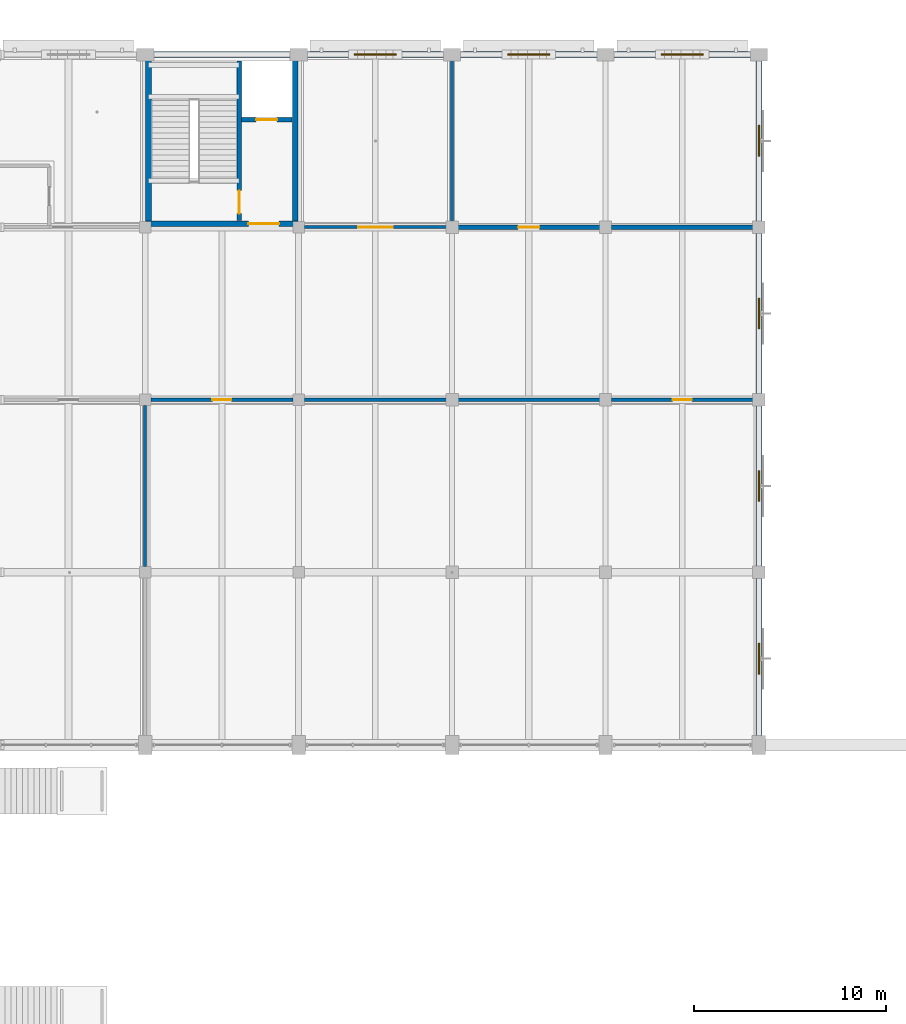
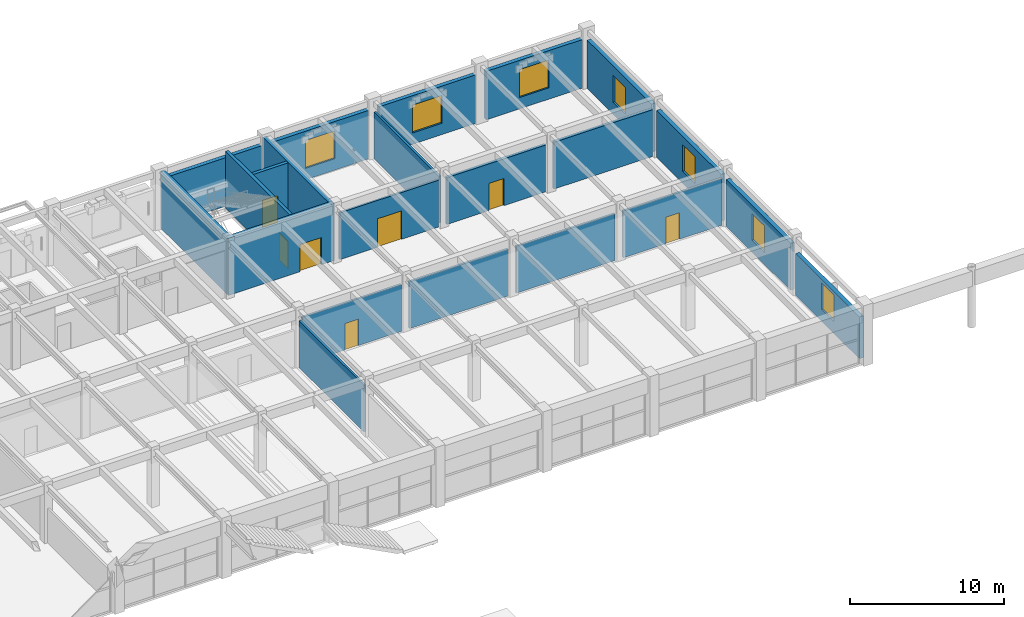
# One storey, part 113 of 144: 22 walls, 7 doors, 7 windows, 14 openings.
"""IFC4 building model written with IfcOpenShell, lengths in metres."""

from ifc_helpers import new_model, si_unit, direction, frame, frame_2d, origin, place, context, subcontext, project, spatial, rectangle, extrude, material, layer, layer_set, type_object, element, fill, save


model = new_model("IFC4")

# Units and contexts
model_context = context("Model", 3, precision=1e-05, world=origin(), true_north=direction((0.0, 1.0)))
body_context = subcontext(model_context, "Body", "Model", "MODEL_VIEW")
ifc_project = project(units=[si_unit("LENGTHUNIT", "METRE"), si_unit("AREAUNIT", "SQUARE_METRE"), si_unit("VOLUMEUNIT", "CUBIC_METRE"), si_unit("PLANEANGLEUNIT", "RADIAN"), si_unit("MASSUNIT", "GRAM", prefix="KILO")], contexts=[model_context])

# Site, building, storey
site_placement = place(None, origin())
site = spatial("IfcSite", under=ifc_project, at=site_placement, CompositionType="ELEMENT")
building_placement = place(site_placement, origin())
building = spatial("IfcBuilding", under=site, at=building_placement, Name="Varnabhumi Central Station", CompositionType="ELEMENT")
storey_placement = place(building_placement, frame((0.0, 0.0, 4.800048828125)))
storey = spatial("IfcBuildingStorey", under=building, at=storey_placement, Name="L01", CompositionType="ELEMENT", Elevation=4.800048828125)

# Wall, opening, door
ifc_material_1 = material(Name="Autoclaved aerated blockwork masonry", Category="masonry")
ifc_layer_1 = layer(ifc_material_1, 0.219970703125, Name="Autoclaved aerated blockwork masonry", Category="masonry")
ifc_layer_set_1 = layer_set([ifc_layer_1], Name="Autoclaved aerated blockwork masonry")
wall_type_1 = type_object("IfcWallType", Name="WAL-COMP-AAC-220", PredefinedType="SOLIDWALL", material=ifc_layer_set_1)
wall_1_placement = place(storey_placement, frame((144.300048828125, 107.0, 0.0), z_axis=(0.0, 0.0, 1.0), x_axis=(1.0, 0.0, 0.0)))
wall_1 = element("IfcWall", 1, at=wall_1_placement, inside=storey, type_object=wall_type_1, Name="Housekeeping and Linen Store L01 Corridor Partition 1", PredefinedType="SOLIDWALL", context=body_context, shape_type="SweptSolid", body=[
    extrude(rectangle(XDim=7.39990234375, YDim=0.219970703125, at=frame_2d((3.699951171875, 0.0))), origin(), (0.0, 0.0, 1.0), 3.699951171875),
])
opening_1_placement = place(wall_1_placement, frame((3.14990234375, 0.0, 0.0)))
opening_1 = element("IfcOpeningElement", 2, at=opening_1_placement, cuts=wall_1, Name="Opening FD-60", PredefinedType="OPENING", context=body_context, shape_type="SweptSolid", body=[
    extrude(rectangle(XDim=1.10009765625, YDim=2.14990234375, at=frame_2d((0.550048828125, 1.074951171875))), frame((0.0, 0.119873046875, 0.0), z_axis=(0.0, -1.0, 0.0), x_axis=(1.0, 0.0, 0.0)), (0.0, 0.0, 1.0), 0.239990234375),
])
ifc_material_2 = material(Name="Intumescent-treated hardwood timber", Category="wood")
door_type_1 = type_object("IfcDoorType", Name="DR-FIRE-60-1100", OperationType="NOTDEFINED", PredefinedType="DOOR", material=ifc_material_2)
door_1_placement = place(opening_1_placement, frame((1.10009765625, 0.0, 0.0), z_axis=(0.0, 0.0, 1.0), x_axis=(-1.0, 0.0, 0.0)))
door_1 = element("IfcDoor", 3, at=door_1_placement, inside=storey, type_object=door_type_1, Name="Housekeeping and Linen Store L01 Door 1", OperationType="SINGLE_SWING_LEFT", OverallHeight=2.14990234375, OverallWidth=1.10009765625, PredefinedType="DOOR", context=body_context, shape_type="SweptSolid", body=[
    extrude(rectangle(XDim=1.10009765625, YDim=2.14990234375, at=frame_2d((0.550048828125, 1.074951171875))), frame((0.0, 0.02490234375, 0.0), z_axis=(0.0, -1.0, 0.0), x_axis=(1.0, 0.0, 0.0)), (0.0, 0.0, 1.0), 0.050048828125),
])
fill(opening_1, door_1)

# Walls
wall_2_placement = place(storey_placement, frame((152.300048828125, 107.0, 0.0), z_axis=(0.0, 0.0, 1.0), x_axis=(1.0, 0.0, 0.0)))
element("IfcWall", 4, at=wall_2_placement, inside=storey, type_object=wall_type_1, Name="Housekeeping and Linen Store L01 Corridor Partition 2", PredefinedType="SOLIDWALL", context=body_context, shape_type="SweptSolid", body=[
    extrude(rectangle(XDim=7.39990234375, YDim=0.219970703125, at=frame_2d((3.699951171875, 0.0))), origin(), (0.0, 0.0, 1.0), 3.699951171875),
])
ifc_material_3 = material(Name="Concrete M40", Category="concrete")
ifc_layer_2 = layer(ifc_material_3, 0.300048828125, Name="Concrete M40", Category="concrete")
ifc_layer_set_2 = layer_set([ifc_layer_2], Name="Concrete M40")
wall_type_2 = type_object("IfcWallType", Name="WAL-CORE-RC-300", PredefinedType="SHEAR", material=ifc_layer_set_2)
for number, where, z_axis, x_axis, name in (
    (5, (128.179931640625, 107.179931640625, 0.0), (0.0, 0.0, 1.0), (0.0, 1.0, 0.0), "NC3 L01 West Shear Wall"),
    (6, (135.820068359375, 107.179931640625, 0.0), (0.0, 0.0, 1.0), (0.0, 1.0, 0.0), "NC3 L01 East Shear Wall"),
):
    element("IfcWall", number, at=place(storey_placement, frame(where, z_axis=z_axis, x_axis=x_axis)), inside=storey, type_object=wall_type_2, Name=name, PredefinedType="SHEAR", context=body_context, shape_type="SweptSolid", body=[
        extrude(rectangle(XDim=8.64013671875, YDim=0.300048828125, at=frame_2d((4.320068359375, 0.0))), origin(), (0.0, 0.0, 1.0), 4.52001953125),
    ])

# Wall, opening, door
wall_3_placement = place(storey_placement, frame((128.030029296875, 107.179931640625, 0.0), z_axis=(0.0, 0.0, 1.0), x_axis=(1.0, 0.0, 0.0)))
wall_3 = element("IfcWall", 7, at=wall_3_placement, inside=storey, type_object=wall_type_2, Name="NC3 L01 Corridor Shear Wall", PredefinedType="SHEAR", context=body_context, shape_type="SweptSolid", body=[
    extrude(rectangle(XDim=7.93994140625, YDim=0.300048828125, at=frame_2d((3.969970703125, 0.0))), origin(), (0.0, 0.0, 1.0), 4.52001953125),
])
opening_2_placement = place(wall_3_placement, frame((5.35009765625, 0.0, 0.0)))
opening_2 = element("IfcOpeningElement", 8, at=opening_2_placement, cuts=wall_3, Name="Opening FD-60D", PredefinedType="OPENING", context=body_context, shape_type="SweptSolid", body=[
    extrude(rectangle(XDim=1.60009765625, YDim=2.14990234375, at=frame_2d((0.800048828125, 1.074951171875))), frame((0.0, 0.159912109375, 0.0), z_axis=(0.0, -1.0, 0.0), x_axis=(1.0, 0.0, 0.0)), (0.0, 0.0, 1.0), 0.320068359375),
])
door_type_2 = type_object("IfcDoorType", Name="DR-FIRE-60-1600", OperationType="NOTDEFINED", PredefinedType="DOOR", material=ifc_material_2)
door_2_placement = place(opening_2_placement, frame((1.60009765625, 0.0, 0.0), z_axis=(0.0, 0.0, 1.0), x_axis=(-1.0, 0.0, 0.0)))
door_2 = element("IfcDoor", 9, at=door_2_placement, inside=storey, type_object=door_type_2, Name="NC3 L01 Lobby Fire Door", OperationType="DOUBLE_DOOR_SINGLE_SWING", OverallHeight=2.14990234375, OverallWidth=1.60009765625, PredefinedType="DOOR", context=body_context, shape_type="SweptSolid", body=[
    extrude(rectangle(XDim=1.60009765625, YDim=2.14990234375, at=frame_2d((0.800048828125, 1.074951171875))), frame((0.0, 0.02490234375, 0.0), z_axis=(0.0, -1.0, 0.0), x_axis=(1.0, 0.0, 0.0)), (0.0, 0.0, 1.0), 0.050048828125),
])
fill(opening_2, door_2)

# Wall
ifc_layer_3 = layer(ifc_material_1, 0.300048828125, Name="Autoclaved aerated blockwork masonry", Category="masonry")
ifc_layer_set_3 = layer_set([ifc_layer_3], Name="Autoclaved aerated blockwork masonry")
wall_type_3 = type_object("IfcWallType", Name="WAL-EXT-STUCCO-300", PredefinedType="SOLIDWALL", material=ifc_layer_set_3)
wall_4_placement = place(storey_placement, frame((128.39990234375, 116.0, 0.0), z_axis=(0.0, 0.0, 1.0), x_axis=(1.0, 0.0, 0.0)))
element("IfcWall", 10, at=wall_4_placement, inside=storey, type_object=wall_type_3, Name="North Boulevard Wall L01-17", PredefinedType="SOLIDWALL", context=body_context, shape_type="SweptSolid", body=[
    extrude(rectangle(XDim=7.2001953125, YDim=0.300048828125, at=frame_2d((3.60009765625, 0.0))), origin(), (0.0, 0.0, 1.0), 3.83984375),
])

# Wall, opening, window
wall_5_placement = place(storey_placement, frame((136.39990234375, 116.0, 0.0), z_axis=(0.0, 0.0, 1.0), x_axis=(1.0, 0.0, 0.0)))
wall_5 = element("IfcWall", 11, at=wall_5_placement, inside=storey, type_object=wall_type_3, Name="North Boulevard Wall L01-18", PredefinedType="SOLIDWALL", context=body_context, shape_type="SweptSolid", body=[
    extrude(rectangle(XDim=7.2001953125, YDim=0.300048828125, at=frame_2d((3.60009765625, 0.0))), origin(), (0.0, 0.0, 1.0), 3.83984375),
])
opening_3_placement = place(wall_5_placement, frame((2.5, 0.0, 0.89990234375)))
opening_3 = element("IfcOpeningElement", 12, at=opening_3_placement, cuts=wall_5, Name="Opening W-03", PredefinedType="OPENING", context=body_context, shape_type="SweptSolid", body=[
    extrude(rectangle(XDim=2.199951171875, YDim=2.199951171875, at=frame_2d((1.10009765625, 1.10009765625))), frame((0.0, 0.159912109375, 0.0), z_axis=(0.0, -1.0, 0.0), x_axis=(1.0, 0.0, 0.0)), (0.0, 0.0, 1.0), 0.320068359375),
])
ifc_material_4 = material(Name="Laminated low-E double glazing", Category="glass")
window_type_1 = type_object("IfcWindowType", Name="WIN-PIER-2200x2200", PartitioningType="DOUBLE_PANEL_VERTICAL", PredefinedType="WINDOW", material=ifc_material_4)
window_1_placement = place(opening_3_placement, origin())
window_1 = element("IfcWindow", 13, at=window_1_placement, inside=storey, type_object=window_type_1, Name="North Facade Window L01-18", OverallHeight=2.199951171875, OverallWidth=2.199951171875, PartitioningType="SINGLE_PANEL", PredefinedType="WINDOW", context=body_context, shape_type="SweptSolid", body=[
    extrude(rectangle(XDim=2.199951171875, YDim=2.199951171875, at=frame_2d((1.10009765625, 1.10009765625))), frame((0.0, 0.030029296875, 0.0), z_axis=(0.0, -1.0, 0.0), x_axis=(1.0, 0.0, 0.0)), (0.0, 0.0, 1.0), 0.06005859375),
])
fill(opening_3, window_1)

wall_6_placement = place(storey_placement, frame((144.39990234375, 116.0, 0.0), z_axis=(0.0, 0.0, 1.0), x_axis=(1.0, 0.0, 0.0)))
wall_6 = element("IfcWall", 14, at=wall_6_placement, inside=storey, type_object=wall_type_3, Name="North Boulevard Wall L01-19", PredefinedType="SOLIDWALL", context=body_context, shape_type="SweptSolid", body=[
    extrude(rectangle(XDim=7.2001953125, YDim=0.300048828125, at=frame_2d((3.60009765625, 0.0))), origin(), (0.0, 0.0, 1.0), 3.83984375),
])
opening_4_placement = place(wall_6_placement, frame((2.5, 0.0, 0.89990234375)))
opening_4 = element("IfcOpeningElement", 15, at=opening_4_placement, cuts=wall_6, Name="Opening W-03", PredefinedType="OPENING", context=body_context, shape_type="SweptSolid", body=[
    extrude(rectangle(XDim=2.199951171875, YDim=2.199951171875, at=frame_2d((1.10009765625, 1.10009765625))), frame((0.0, 0.159912109375, 0.0), z_axis=(0.0, -1.0, 0.0), x_axis=(1.0, 0.0, 0.0)), (0.0, 0.0, 1.0), 0.320068359375),
])
window_2_placement = place(opening_4_placement, origin())
window_2 = element("IfcWindow", 16, at=window_2_placement, inside=storey, type_object=window_type_1, Name="North Facade Window L01-19", OverallHeight=2.199951171875, OverallWidth=2.199951171875, PartitioningType="SINGLE_PANEL", PredefinedType="WINDOW", context=body_context, shape_type="SweptSolid", body=[
    extrude(rectangle(XDim=2.199951171875, YDim=2.199951171875, at=frame_2d((1.10009765625, 1.10009765625))), frame((0.0, 0.030029296875, 0.0), z_axis=(0.0, -1.0, 0.0), x_axis=(1.0, 0.0, 0.0)), (0.0, 0.0, 1.0), 0.06005859375),
])
fill(opening_4, window_2)

wall_7_placement = place(storey_placement, frame((152.39990234375, 116.0, 0.0), z_axis=(0.0, 0.0, 1.0), x_axis=(1.0, 0.0, 0.0)))
wall_7 = element("IfcWall", 17, at=wall_7_placement, inside=storey, type_object=wall_type_3, Name="North Boulevard Wall L01-20", PredefinedType="SOLIDWALL", context=body_context, shape_type="SweptSolid", body=[
    extrude(rectangle(XDim=7.2001953125, YDim=0.300048828125, at=frame_2d((3.60009765625, 0.0))), origin(), (0.0, 0.0, 1.0), 3.83984375),
])
opening_5_placement = place(wall_7_placement, frame((2.5, 0.0, 0.89990234375)))
opening_5 = element("IfcOpeningElement", 18, at=opening_5_placement, cuts=wall_7, Name="Opening W-03", PredefinedType="OPENING", context=body_context, shape_type="SweptSolid", body=[
    extrude(rectangle(XDim=2.199951171875, YDim=2.199951171875, at=frame_2d((1.10009765625, 1.10009765625))), frame((0.0, 0.159912109375, 0.0), z_axis=(0.0, -1.0, 0.0), x_axis=(1.0, 0.0, 0.0)), (0.0, 0.0, 1.0), 0.320068359375),
])
window_3_placement = place(opening_5_placement, origin())
window_3 = element("IfcWindow", 19, at=window_3_placement, inside=storey, type_object=window_type_1, Name="North Facade Window L01-20", OverallHeight=2.199951171875, OverallWidth=2.199951171875, PartitioningType="SINGLE_PANEL", PredefinedType="WINDOW", context=body_context, shape_type="SweptSolid", body=[
    extrude(rectangle(XDim=2.199951171875, YDim=2.199951171875, at=frame_2d((1.10009765625, 1.10009765625))), frame((0.0, 0.030029296875, 0.0), z_axis=(0.0, -1.0, 0.0), x_axis=(1.0, 0.0, 0.0)), (0.0, 0.0, 1.0), 0.06005859375),
])
fill(opening_5, window_3)

wall_8_placement = place(storey_placement, frame((160.0, 80.39990234375, 0.0), z_axis=(0.0, 0.0, 1.0), x_axis=(0.0, 1.0, 0.0)))
wall_8 = element("IfcWall", 20, at=wall_8_placement, inside=storey, type_object=wall_type_3, Name="North Wing W End Wall L01-1", PredefinedType="SOLIDWALL", context=body_context, shape_type="SweptSolid", body=[
    extrude(rectangle(XDim=8.280029296875, YDim=0.300048828125, at=frame_2d((4.14013671875, 0.0))), origin(), (0.0, 0.0, 1.0), 3.31005859375),
])
opening_6_placement = place(wall_8_placement, frame((3.300048828125, 0.0, 0.949951171875)))
opening_6 = element("IfcOpeningElement", 21, at=opening_6_placement, cuts=wall_8, Name="Opening W-04", PredefinedType="OPENING", context=body_context, shape_type="SweptSolid", body=[
    extrude(rectangle(XDim=1.60009765625, YDim=2.10009765625, at=frame_2d((0.800048828125, 1.050048828125))), frame((0.0, 0.159912109375, 0.0), z_axis=(0.0, -1.0, 0.0), x_axis=(1.0, 0.0, 0.0)), (0.0, 0.0, 1.0), 0.320068359375),
])
window_type_2 = type_object("IfcWindowType", Name="WIN-PIER-1600x2200", PartitioningType="SINGLE_PANEL", PredefinedType="WINDOW", material=ifc_material_4)
window_4_placement = place(opening_6_placement, origin())
window_4 = element("IfcWindow", 22, at=window_4_placement, inside=storey, type_object=window_type_2, Name="North W Window L01-1", OverallHeight=2.10009765625, OverallWidth=1.60009765625, PartitioningType="SINGLE_PANEL", PredefinedType="WINDOW", context=body_context, shape_type="SweptSolid", body=[
    extrude(rectangle(XDim=1.60009765625, YDim=2.10009765625, at=frame_2d((0.800048828125, 1.050048828125))), frame((0.0, 0.030029296875, 0.0), z_axis=(0.0, -1.0, 0.0), x_axis=(1.0, 0.0, 0.0)), (0.0, 0.0, 1.0), 0.06005859375),
])
fill(opening_6, window_4)

wall_9_placement = place(storey_placement, frame((160.0, 89.320068359375, 0.0), z_axis=(0.0, 0.0, 1.0), x_axis=(0.0, 1.0, 0.0)))
wall_9 = element("IfcWall", 23, at=wall_9_placement, inside=storey, type_object=wall_type_3, Name="North Wing W End Wall L01-2", PredefinedType="SOLIDWALL", context=body_context, shape_type="SweptSolid", body=[
    extrude(rectangle(XDim=8.35986328125, YDim=0.300048828125, at=frame_2d((4.179931640625, 0.0))), origin(), (0.0, 0.0, 1.0), 3.7099609375),
])
opening_7_placement = place(wall_9_placement, frame((3.3798828125, 0.0, 0.949951171875)))
opening_7 = element("IfcOpeningElement", 24, at=opening_7_placement, cuts=wall_9, Name="Opening W-04", PredefinedType="OPENING", context=body_context, shape_type="SweptSolid", body=[
    extrude(rectangle(XDim=1.60009765625, YDim=2.10009765625, at=frame_2d((0.800048828125, 1.050048828125))), frame((0.0, 0.159912109375, 0.0), z_axis=(0.0, -1.0, 0.0), x_axis=(1.0, 0.0, 0.0)), (0.0, 0.0, 1.0), 0.320068359375),
])
window_5_placement = place(opening_7_placement, origin())
window_5 = element("IfcWindow", 25, at=window_5_placement, inside=storey, type_object=window_type_2, Name="North W Window L01-2", OverallHeight=2.10009765625, OverallWidth=1.60009765625, PartitioningType="SINGLE_PANEL", PredefinedType="WINDOW", context=body_context, shape_type="SweptSolid", body=[
    extrude(rectangle(XDim=1.60009765625, YDim=2.10009765625, at=frame_2d((0.800048828125, 1.050048828125))), frame((0.0, 0.030029296875, 0.0), z_axis=(0.0, -1.0, 0.0), x_axis=(1.0, 0.0, 0.0)), (0.0, 0.0, 1.0), 0.06005859375),
])
fill(opening_7, window_5)

wall_10_placement = place(storey_placement, frame((160.0, 98.320068359375, 0.0), z_axis=(0.0, 0.0, 1.0), x_axis=(0.0, 1.0, 0.0)))
wall_10 = element("IfcWall", 26, at=wall_10_placement, inside=storey, type_object=wall_type_3, Name="North Wing W End Wall L01-3", PredefinedType="SOLIDWALL", context=body_context, shape_type="SweptSolid", body=[
    extrude(rectangle(XDim=8.35986328125, YDim=0.300048828125, at=frame_2d((4.179931640625, 0.0))), origin(), (0.0, 0.0, 1.0), 3.7099609375),
])
opening_8_placement = place(wall_10_placement, frame((3.3798828125, 0.0, 0.949951171875)))
opening_8 = element("IfcOpeningElement", 27, at=opening_8_placement, cuts=wall_10, Name="Opening W-04", PredefinedType="OPENING", context=body_context, shape_type="SweptSolid", body=[
    extrude(rectangle(XDim=1.60009765625, YDim=2.10009765625, at=frame_2d((0.800048828125, 1.050048828125))), frame((0.0, 0.159912109375, 0.0), z_axis=(0.0, -1.0, 0.0), x_axis=(1.0, 0.0, 0.0)), (0.0, 0.0, 1.0), 0.320068359375),
])
window_6_placement = place(opening_8_placement, origin())
window_6 = element("IfcWindow", 28, at=window_6_placement, inside=storey, type_object=window_type_2, Name="North W Window L01-3", OverallHeight=2.10009765625, OverallWidth=1.60009765625, PartitioningType="SINGLE_PANEL", PredefinedType="WINDOW", context=body_context, shape_type="SweptSolid", body=[
    extrude(rectangle(XDim=1.60009765625, YDim=2.10009765625, at=frame_2d((0.800048828125, 1.050048828125))), frame((0.0, 0.030029296875, 0.0), z_axis=(0.0, -1.0, 0.0), x_axis=(1.0, 0.0, 0.0)), (0.0, 0.0, 1.0), 0.06005859375),
])
fill(opening_8, window_6)

wall_11_placement = place(storey_placement, frame((160.0, 107.320068359375, 0.0), z_axis=(0.0, 0.0, 1.0), x_axis=(0.0, 1.0, 0.0)))
wall_11 = element("IfcWall", 29, at=wall_11_placement, inside=storey, type_object=wall_type_3, Name="North Wing W End Wall L01-4", PredefinedType="SOLIDWALL", context=body_context, shape_type="SweptSolid", body=[
    extrude(rectangle(XDim=8.35986328125, YDim=0.300048828125, at=frame_2d((4.179931640625, 0.0))), origin(), (0.0, 0.0, 1.0), 3.81005859375),
])
opening_9_placement = place(wall_11_placement, frame((3.3798828125, 0.0, 0.949951171875)))
opening_9 = element("IfcOpeningElement", 30, at=opening_9_placement, cuts=wall_11, Name="Opening W-04", PredefinedType="OPENING", context=body_context, shape_type="SweptSolid", body=[
    extrude(rectangle(XDim=1.60009765625, YDim=2.10009765625, at=frame_2d((0.800048828125, 1.050048828125))), frame((0.0, 0.159912109375, 0.0), z_axis=(0.0, -1.0, 0.0), x_axis=(1.0, 0.0, 0.0)), (0.0, 0.0, 1.0), 0.320068359375),
])
window_7_placement = place(opening_9_placement, origin())
window_7 = element("IfcWindow", 31, at=window_7_placement, inside=storey, type_object=window_type_2, Name="North W Window L01-4", OverallHeight=2.10009765625, OverallWidth=1.60009765625, PartitioningType="SINGLE_PANEL", PredefinedType="WINDOW", context=body_context, shape_type="SweptSolid", body=[
    extrude(rectangle(XDim=1.60009765625, YDim=2.10009765625, at=frame_2d((0.800048828125, 1.050048828125))), frame((0.0, 0.030029296875, 0.0), z_axis=(0.0, -1.0, 0.0), x_axis=(1.0, 0.0, 0.0)), (0.0, 0.0, 1.0), 0.06005859375),
])
fill(opening_9, window_7)

# Wall
ifc_layer_4 = layer(ifc_material_1, 0.159912109375, Name="Autoclaved aerated blockwork masonry", Category="masonry")
ifc_layer_set_4 = layer_set([ifc_layer_4], Name="Autoclaved aerated blockwork masonry")
wall_type_4 = type_object("IfcWallType", Name="WAL-PART-AAC-160", PredefinedType="PARTITIONING", material=ifc_layer_set_4)
wall_12_placement = place(storey_placement, frame((128.0, 89.300048828125, 0.0), z_axis=(0.0, 0.0, 1.0), x_axis=(0.0, 1.0, 0.0)))
element("IfcWall", 32, at=wall_12_placement, inside=storey, type_object=wall_type_4, Name="Ladies' Transit Dormitory W Partition 2", PredefinedType="PARTITIONING", context=body_context, shape_type="SweptSolid", body=[
    extrude(rectangle(XDim=8.39990234375, YDim=0.159912109375, at=frame_2d((4.199951171875, 0.0))), origin(), (0.0, 0.0, 1.0), 3.699951171875),
])

# Wall, opening, door
wall_13_placement = place(storey_placement, frame((128.300048828125, 98.0, 0.0), z_axis=(0.0, 0.0, 1.0), x_axis=(1.0, 0.0, 0.0)))
wall_13 = element("IfcWall", 33, at=wall_13_placement, inside=storey, type_object=wall_type_4, Name="General Transit Dormitory Corridor Partition 1", PredefinedType="PARTITIONING", context=body_context, shape_type="SweptSolid", body=[
    extrude(rectangle(XDim=7.39990234375, YDim=0.159912109375, at=frame_2d((3.699951171875, 0.0))), origin(), (0.0, 0.0, 1.0), 3.699951171875),
])
opening_10_placement = place(wall_13_placement, frame((3.199951171875, 0.0, 0.0)))
opening_10 = element("IfcOpeningElement", 34, at=opening_10_placement, cuts=wall_13, Name="Opening D-01", PredefinedType="OPENING", context=body_context, shape_type="SweptSolid", body=[
    extrude(rectangle(XDim=1.0, YDim=2.10009765625, at=frame_2d((0.5, 1.050048828125))), frame((0.0, 0.08984375, 0.0), z_axis=(0.0, -1.0, 0.0), x_axis=(1.0, 0.0, 0.0)), (0.0, 0.0, 1.0), 0.179931640625),
])
door_type_3 = type_object("IfcDoorType", Name="DR-ROOM-1000", OperationType="NOTDEFINED", PredefinedType="DOOR", material=ifc_material_2)
door_3_placement = place(opening_10_placement, origin())
door_3 = element("IfcDoor", 35, at=door_3_placement, inside=storey, type_object=door_type_3, Name="General Transit Dormitory Door 1", OperationType="SINGLE_SWING_RIGHT", OverallHeight=2.10009765625, OverallWidth=1.0, PredefinedType="DOOR", context=body_context, shape_type="SweptSolid", body=[
    extrude(rectangle(XDim=1.0, YDim=2.10009765625, at=frame_2d((0.5, 1.050048828125))), frame((0.0, 0.02490234375, 0.0), z_axis=(0.0, -1.0, 0.0), x_axis=(1.0, 0.0, 0.0)), (0.0, 0.0, 1.0), 0.050048828125),
])
fill(opening_10, door_3)

# Walls
for number, where, z_axis, x_axis, name in (
    (36, (136.300048828125, 98.0, 0.0), (0.0, 0.0, 1.0), (1.0, 0.0, 0.0), "General Transit Dormitory Corridor Partition 2"),
    (37, (144.300048828125, 98.0, 0.0), (0.0, 0.0, 1.0), (1.0, 0.0, 0.0), "General Transit Dormitory Corridor Partition 3"),
):
    element("IfcWall", number, at=place(storey_placement, frame(where, z_axis=z_axis, x_axis=x_axis)), inside=storey, type_object=wall_type_4, Name=name, PredefinedType="PARTITIONING", context=body_context, shape_type="SweptSolid", body=[
        extrude(rectangle(XDim=7.39990234375, YDim=0.159912109375, at=frame_2d((3.699951171875, 0.0))), origin(), (0.0, 0.0, 1.0), 3.699951171875),
    ])

# Wall, opening, door
wall_14_placement = place(storey_placement, frame((152.300048828125, 98.0, 0.0), z_axis=(0.0, 0.0, 1.0), x_axis=(1.0, 0.0, 0.0)))
wall_14 = element("IfcWall", 38, at=wall_14_placement, inside=storey, type_object=wall_type_4, Name="General Transit Dormitory Corridor Partition 4", PredefinedType="PARTITIONING", context=body_context, shape_type="SweptSolid", body=[
    extrude(rectangle(XDim=7.39990234375, YDim=0.159912109375, at=frame_2d((3.699951171875, 0.0))), origin(), (0.0, 0.0, 1.0), 3.699951171875),
])
opening_11_placement = place(wall_14_placement, frame((3.199951171875, 0.0, 0.0)))
opening_11 = element("IfcOpeningElement", 39, at=opening_11_placement, cuts=wall_14, Name="Opening D-01", PredefinedType="OPENING", context=body_context, shape_type="SweptSolid", body=[
    extrude(rectangle(XDim=1.0, YDim=2.10009765625, at=frame_2d((0.5, 1.050048828125))), frame((0.0, 0.08984375, 0.0), z_axis=(0.0, -1.0, 0.0), x_axis=(1.0, 0.0, 0.0)), (0.0, 0.0, 1.0), 0.179931640625),
])
door_4_placement = place(opening_11_placement, origin())
door_4 = element("IfcDoor", 40, at=door_4_placement, inside=storey, type_object=door_type_3, Name="General Transit Dormitory Door 4", OperationType="SINGLE_SWING_LEFT", OverallHeight=2.10009765625, OverallWidth=1.0, PredefinedType="DOOR", context=body_context, shape_type="SweptSolid", body=[
    extrude(rectangle(XDim=1.0, YDim=2.10009765625, at=frame_2d((0.5, 1.050048828125))), frame((0.0, 0.02490234375, 0.0), z_axis=(0.0, -1.0, 0.0), x_axis=(1.0, 0.0, 0.0)), (0.0, 0.0, 1.0), 0.050048828125),
])
fill(opening_11, door_4)

wall_15_placement = place(storey_placement, frame((136.300048828125, 107.0, 0.0), z_axis=(0.0, 0.0, 1.0), x_axis=(1.0, 0.0, 0.0)))
wall_15 = element("IfcWall", 41, at=wall_15_placement, inside=storey, type_object=wall_type_4, Name="Infant Nursing and Family Care Suite Corridor Partition 1", PredefinedType="PARTITIONING", context=body_context, shape_type="SweptSolid", body=[
    extrude(rectangle(XDim=7.39990234375, YDim=0.159912109375, at=frame_2d((3.699951171875, 0.0))), origin(), (0.0, 0.0, 1.0), 3.699951171875),
])
opening_12_placement = place(wall_15_placement, frame((2.800048828125, 0.0, 0.0)))
opening_12 = element("IfcOpeningElement", 42, at=opening_12_placement, cuts=wall_15, Name="Opening D-02", PredefinedType="OPENING", context=body_context, shape_type="SweptSolid", body=[
    extrude(rectangle(XDim=1.800048828125, YDim=2.25, at=frame_2d((0.89990234375, 1.125))), frame((0.0, 0.08984375, 0.0), z_axis=(0.0, -1.0, 0.0), x_axis=(1.0, 0.0, 0.0)), (0.0, 0.0, 1.0), 0.179931640625),
])
ifc_material_5 = material(Name="Anodised aluminium 6063-T6", Category="aluminium")
door_type_4 = type_object("IfcDoorType", Name="DR-LOUNGE-1800", OperationType="NOTDEFINED", PredefinedType="DOOR", material=ifc_material_5)
door_5_placement = place(opening_12_placement, frame((1.800048828125, 0.0, 0.0), z_axis=(0.0, 0.0, 1.0), x_axis=(-1.0, 0.0, 0.0)))
door_5 = element("IfcDoor", 43, at=door_5_placement, inside=storey, type_object=door_type_4, Name="Infant Nursing and Family Care Suite Door 1", OperationType="DOUBLE_DOOR_SINGLE_SWING", OverallHeight=2.25, OverallWidth=1.800048828125, PredefinedType="DOOR", context=body_context, shape_type="SweptSolid", body=[
    extrude(rectangle(XDim=1.800048828125, YDim=2.25, at=frame_2d((0.89990234375, 1.125))), frame((0.0, 0.02490234375, 0.0), z_axis=(0.0, -1.0, 0.0), x_axis=(1.0, 0.0, 0.0)), (0.0, 0.0, 1.0), 0.050048828125),
])
fill(opening_12, door_5)

# Wall
wall_16_placement = place(storey_placement, frame((144.0, 107.300048828125, 0.0), z_axis=(0.0, 0.0, 1.0), x_axis=(0.0, 1.0, 0.0)))
element("IfcWall", 44, at=wall_16_placement, inside=storey, type_object=wall_type_4, Name="Infant Nursing and Family Care Suite W Partition 1", PredefinedType="PARTITIONING", context=body_context, shape_type="SweptSolid", body=[
    extrude(rectangle(XDim=8.39990234375, YDim=0.159912109375, at=frame_2d((4.199951171875, 0.0))), origin(), (0.0, 0.0, 1.0), 3.699951171875),
])

# Wall, opening, door
ifc_layer_5 = layer(ifc_material_3, 0.239990234375, Name="Concrete M40", Category="concrete")
ifc_layer_set_5 = layer_set([ifc_layer_5], Name="Concrete M40")
wall_type_5 = type_object("IfcWallType", Name="WAL-SHAFT-RC-240", PredefinedType="SHEAR", material=ifc_layer_set_5)
wall_17_placement = place(storey_placement, frame((132.89990234375, 107.35009765625, 0.0), z_axis=(0.0, 0.0, 1.0), x_axis=(0.0, 1.0, 0.0)))
wall_17 = element("IfcWall", 45, at=wall_17_placement, inside=storey, type_object=wall_type_5, Name="NC3 L01 Stair-Lobby Divider Wall", PredefinedType="SHEAR", context=body_context, shape_type="SweptSolid", body=[
    extrude(rectangle(XDim=8.2998046875, YDim=0.239990234375, at=frame_2d((4.14990234375, 0.0))), origin(), (0.0, 0.0, 1.0), 4.52001953125),
])
opening_13_placement = place(wall_17_placement, frame((0.35009765625, 0.0, 0.0)))
opening_13 = element("IfcOpeningElement", 46, at=opening_13_placement, cuts=wall_17, Name="Opening FD-120", PredefinedType="OPENING", context=body_context, shape_type="SweptSolid", body=[
    extrude(rectangle(XDim=1.199951171875, YDim=2.14990234375, at=frame_2d((0.60009765625, 1.074951171875))), frame((0.0, 0.1298828125, 0.0), z_axis=(0.0, -1.0, 0.0), x_axis=(1.0, 0.0, 0.0)), (0.0, 0.0, 1.0), 0.260009765625),
])
ifc_material_6 = material(Name="Stainless steel Grade 316", Category="steel")
door_type_5 = type_object("IfcDoorType", Name="DR-FIRE-120-1200", OperationType="NOTDEFINED", PredefinedType="DOOR", material=ifc_material_6)
door_6_placement = place(opening_13_placement, origin())
door_6 = element("IfcDoor", 47, at=door_6_placement, inside=storey, type_object=door_type_5, Name="ST-N3 L01 Fire Door", OperationType="SINGLE_SWING_RIGHT", OverallHeight=2.14990234375, OverallWidth=1.199951171875, PredefinedType="DOOR", context=body_context, shape_type="SweptSolid", body=[
    extrude(rectangle(XDim=1.199951171875, YDim=2.14990234375, at=frame_2d((0.60009765625, 1.074951171875))), frame((0.0, 0.02490234375, 0.0), z_axis=(0.0, -1.0, 0.0), x_axis=(1.0, 0.0, 0.0)), (0.0, 0.0, 1.0), 0.050048828125),
])
fill(opening_13, door_6)

wall_18_placement = place(storey_placement, frame((133.02001953125, 112.60009765625, 0.0), z_axis=(0.0, 0.0, 1.0), x_axis=(1.0, 0.0, 0.0)))
wall_18 = element("IfcWall", 48, at=wall_18_placement, inside=storey, type_object=wall_type_5, Name="PL-6 L01 Lift Shaft Front Wall", PredefinedType="SHEAR", context=body_context, shape_type="SweptSolid", body=[
    extrude(rectangle(XDim=2.6298828125, YDim=0.239990234375, at=frame_2d((1.31494140625, 0.0))), origin(), (0.0, 0.0, 1.0), 4.52001953125),
])
opening_14_placement = place(wall_18_placement, frame((0.764892578125, 0.0, 0.0)))
opening_14 = element("IfcOpeningElement", 49, at=opening_14_placement, cuts=wall_18, Name="Opening LD-PL-6", PredefinedType="OPENING", context=body_context, shape_type="SweptSolid", body=[
    extrude(rectangle(XDim=1.10009765625, YDim=2.14990234375, at=frame_2d((0.550048828125, 1.074951171875))), frame((0.0, 0.1298828125, 0.0), z_axis=(0.0, -1.0, 0.0), x_axis=(1.0, 0.0, 0.0)), (0.0, 0.0, 1.0), 0.260009765625),
])
door_type_6 = type_object("IfcDoorType", Name="DR-LIFT-PASS-1100", OperationType="NOTDEFINED", PredefinedType="DOOR", material=ifc_material_6)
door_7_placement = place(opening_14_placement, origin())
door_7 = element("IfcDoor", 50, at=door_7_placement, inside=storey, type_object=door_type_6, Name="Lift Landing Door PL-6 L01", OperationType="DOUBLE_DOOR_SLIDING", OverallHeight=2.14990234375, OverallWidth=1.10009765625, PredefinedType="DOOR", context=body_context, shape_type="SweptSolid", body=[
    extrude(rectangle(XDim=1.10009765625, YDim=2.14990234375, at=frame_2d((0.550048828125, 1.074951171875))), frame((0.0, 0.02490234375, 0.0), z_axis=(0.0, -1.0, 0.0), x_axis=(1.0, 0.0, 0.0)), (0.0, 0.0, 1.0), 0.050048828125),
])
fill(opening_14, door_7)

save(model, "model.ifc")
